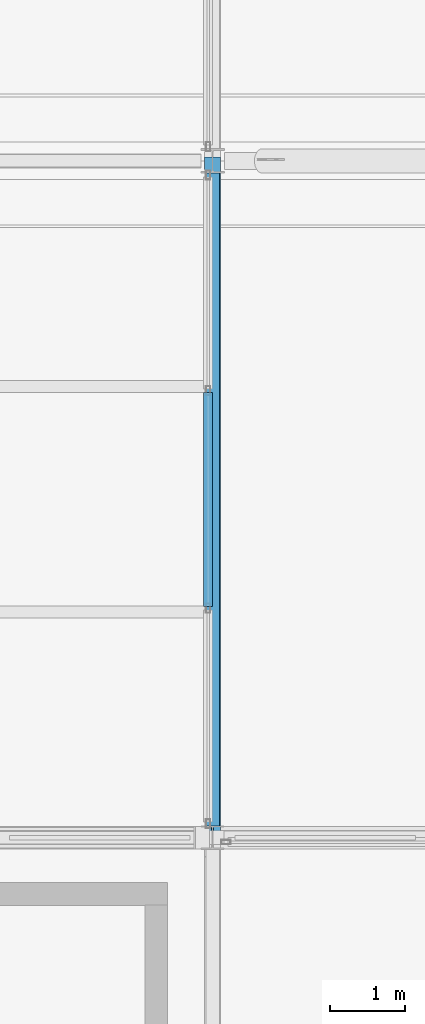
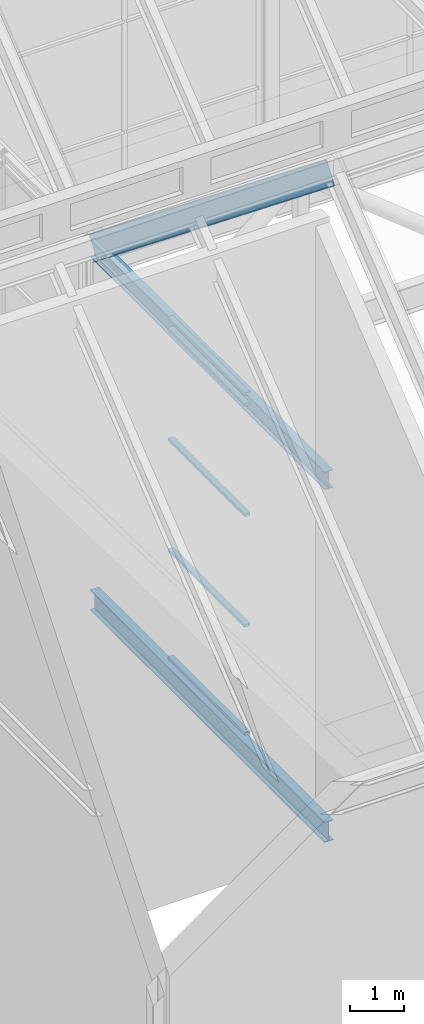
# One storey, part 22 of 144: 6 members, 2 beams, 1 element without a shape of its own.
"""IFC4 building model written with IfcOpenShell, lengths in metres."""

from ifc_helpers import new_model, si_unit, direction, frame, origin, origin_2d, place, context, subcontext, project, spatial, hollow_rectangle, i_section, extrude, material, layer, layer_set, material_profile, profile_set, type_object, element, aggregate, save


model = new_model("IFC4")

# Units and contexts
model_context = context("Model", 3, precision=1e-05, world=origin(), true_north=direction((0.0, 1.0)))
body_context = subcontext(model_context, "Body", "Model", "MODEL_VIEW")
ifc_project = project(units=[si_unit("LENGTHUNIT", "METRE"), si_unit("AREAUNIT", "SQUARE_METRE"), si_unit("VOLUMEUNIT", "CUBIC_METRE"), si_unit("PLANEANGLEUNIT", "RADIAN"), si_unit("MASSUNIT", "GRAM", prefix="KILO")], contexts=[model_context])

# Site, building, storey
site_placement = place(None, origin())
site = spatial("IfcSite", under=ifc_project, at=site_placement, CompositionType="ELEMENT")
building_placement = place(site_placement, origin())
building = spatial("IfcBuilding", under=site, at=building_placement, Name="Shorebreak Coast Museum", CompositionType="ELEMENT")
storey_placement = place(building_placement, frame((0.0, 0.0, 36.0)))
storey = spatial("IfcBuildingStorey", under=building, at=storey_placement, Name="L06", CompositionType="ELEMENT", Elevation=36.0)

# Beam
ifc_material_1 = material(Name="Steel Grade 300", Category="steel")
ifc_material_profile_1 = material_profile(ifc_material_1, i_section(OverallWidth=0.19091796875, OverallDepth=0.46044921875, WebThickness=0.010009765625, FlangeThickness=0.01611328125, FilletRadius=0.011474609375, at=origin_2d()), Name="460UB82.1")
ifc_profile_set_1 = profile_set([ifc_material_profile_1], Name="Steel Grade 300")
beam_type_1 = type_object("IfcBeamType", Name="Floor girder north-south 460UB82.1", PredefinedType="BEAM", material=ifc_profile_set_1)
beam_1_placement = place(storey_placement, frame((63.0, 63.1572265625, -0.4052734375), z_axis=(0.0, 1.0, 0.0), x_axis=(-1.0, 0.0, 0.0)))
element("IfcBeam", 1, at=beam_1_placement, inside=storey, type_object=beam_type_1, Name="Floor girder north-south L06 8H", PredefinedType="BEAM", context=body_context, shape_type="SweptSolid", body=[
    extrude(i_section(OverallWidth=0.19091796875, OverallDepth=0.46044921875, WebThickness=0.010009765625, FlangeThickness=0.01611328125, FilletRadius=0.011474609375, at=origin_2d()), origin(), (0.0, 0.0, 1.0), 8.67919921875),
])

# Member
ifc_material_2 = material(Name="Steel Grade 300", Category="steel")
ifc_material_profile_2 = material_profile(ifc_material_2, i_section(OverallWidth=0.208984375, OverallDepth=0.5283203125, WebThickness=0.009521484375, FlangeThickness=0.01318359375, FilletRadius=0.013916015625, at=origin_2d()), Name="530UB82.0")
ifc_profile_set_2 = profile_set([ifc_material_profile_2], Name="Steel Grade 300")
member_type_1 = type_object("IfcMemberType", Name="Fold rib rafter 530UB82.0", PredefinedType="RAFTER", material=ifc_profile_set_2)
member_1_placement = place(storey_placement, frame((63.0, 63.094970703125, 14.52978515625), z_axis=(0.0, 0.780866693621, -0.624697692322), x_axis=(-1.0, 0.0, 0.0)))
element("IfcMember", 2, at=member_1_placement, inside=storey, type_object=member_type_1, Name="Fold rib rafter FOLD-X line 2 04", PredefinedType="RAFTER", context=body_context, shape_type="SweptSolid", body=[
    extrude(i_section(OverallWidth=0.208984375, OverallDepth=0.5283203125, WebThickness=0.009521484375, FlangeThickness=0.01318359375, FilletRadius=0.013916015625, at=origin_2d()), origin(), (0.0, 0.0, 1.0), 11.25732421875),
])

# Beam
ifc_material_3 = material(Name="Steel Grade 300", Category="steel")
ifc_material_profile_3 = material_profile(ifc_material_3, i_section(OverallWidth=0.177978515625, OverallDepth=0.402587890625, WebThickness=0.007568359375, FlangeThickness=0.010986328125, FilletRadius=0.011474609375, at=origin_2d()), Name="410UB53.7")
ifc_profile_set_3 = profile_set([ifc_material_profile_3], Name="Steel Grade 300")
beam_type_2 = type_object("IfcBeamType", Name="Fold rib tie 410UB53.7", PredefinedType="BEAM", material=ifc_profile_set_3)
beam_2_placement = place(storey_placement, frame((63.0, 63.1572265625, 7.54248046875), z_axis=(0.0, 1.0, 0.0), x_axis=(-1.0, 0.0, 0.0)))
element("IfcBeam", 3, at=beam_2_placement, inside=storey, type_object=beam_type_2, Name="Fold rib tie FOLD-X rib 8 H-J", PredefinedType="BEAM", context=body_context, shape_type="SweptSolid", body=[
    extrude(i_section(OverallWidth=0.177978515625, OverallDepth=0.402587890625, WebThickness=0.007568359375, FlangeThickness=0.010986328125, FilletRadius=0.011474609375, at=origin_2d()), origin(), (0.0, 0.0, 1.0), 8.67919921875),
])

# Curtain wall, members
ifc_material_4 = material(Name="Aluminium", Category="aluminium")
ifc_layer = layer(ifc_material_4, 0.1201171875)
ifc_layer_set = layer_set([ifc_layer], Name="Aluminium")
curtain_wall_type = type_object("IfcCurtainWallType", Name="Atrium fire screen", PredefinedType="NOTDEFINED", material=ifc_layer_set)
curtain_wall_placement = place(storey_placement, origin())
curtain_wall = element("IfcCurtainWall", 4, at=curtain_wall_placement, inside=storey, type_object=curtain_wall_type, Name="Atrium screen L06 W 89", PredefinedType="NOTDEFINED")
ifc_material_5 = material(Name="Aluminium", Category="aluminium")
ifc_material_profile_4 = material_profile(ifc_material_5, hollow_rectangle(XDim=0.1201171875, YDim=0.06005859375, WallThickness=0.00341796875, at=origin_2d()), Name="AL 60x120 RHS")
ifc_profile_set_4 = profile_set([ifc_material_profile_4], Name="Aluminium")
member_type_2 = type_object("IfcMemberType", Name="Screen transom 120 x 50", PredefinedType="USERDEFINED", material=ifc_profile_set_4)
member_2_placement = place(storey_placement, frame((62.93994140625, 66.075439453125, 0.06005859375), z_axis=(0.0, 1.0, 0.0), x_axis=(-1.0, 0.0, 0.0)))
member_2 = element("IfcMember", 5, at=member_2_placement, type_object=member_type_2, Name="CW6 transom 2.1", ObjectType="TRANSOM", PredefinedType="USERDEFINED", context=body_context, shape_type="SweptSolid", body=[
    extrude(hollow_rectangle(XDim=0.1201171875, YDim=0.06005859375, WallThickness=0.00341796875, at=origin_2d()), origin(), (0.0, 0.0, 1.0), 2.843017578125),
])
member_3_placement = place(storey_placement, frame((62.93994140625, 66.075439453125, 2.5), z_axis=(0.0, 1.0, 0.0), x_axis=(-1.0, 0.0, 0.0)))
member_3 = element("IfcMember", 6, at=member_3_placement, type_object=member_type_2, Name="CW6 transom 2.2", ObjectType="TRANSOM", PredefinedType="USERDEFINED", context=body_context, shape_type="SweptSolid", body=[
    extrude(hollow_rectangle(XDim=0.1201171875, YDim=0.06005859375, WallThickness=0.00341796875, at=origin_2d()), origin(), (0.0, 0.0, 1.0), 2.843017578125),
])
member_4_placement = place(storey_placement, frame((62.93994140625, 66.075439453125, 5.0), z_axis=(0.0, 1.0, 0.0), x_axis=(-1.0, 0.0, 0.0)))
member_4 = element("IfcMember", 7, at=member_4_placement, type_object=member_type_2, Name="CW6 transom 2.3", ObjectType="TRANSOM", PredefinedType="USERDEFINED", context=body_context, shape_type="SweptSolid", body=[
    extrude(hollow_rectangle(XDim=0.1201171875, YDim=0.06005859375, WallThickness=0.00341796875, at=origin_2d()), origin(), (0.0, 0.0, 1.0), 2.843017578125),
])
member_5_placement = place(storey_placement, frame((62.93994140625, 66.075439453125, 7.5), z_axis=(0.0, 1.0, 0.0), x_axis=(-1.0, 0.0, 0.0)))
member_5 = element("IfcMember", 8, at=member_5_placement, type_object=member_type_2, Name="CW6 transom 2.4", ObjectType="TRANSOM", PredefinedType="USERDEFINED", context=body_context, shape_type="SweptSolid", body=[
    extrude(hollow_rectangle(XDim=0.1201171875, YDim=0.06005859375, WallThickness=0.00341796875, at=origin_2d()), origin(), (0.0, 0.0, 1.0), 2.843017578125),
])
member_6_placement = place(storey_placement, frame((62.93994140625, 66.075439453125, 7.739990234375), z_axis=(0.0, 1.0, 0.0), x_axis=(-1.0, 0.0, 0.0)))
member_6 = element("IfcMember", 9, at=member_6_placement, type_object=member_type_2, Name="CW6 transom 2.5", ObjectType="TRANSOM", PredefinedType="USERDEFINED", context=body_context, shape_type="SweptSolid", body=[
    extrude(hollow_rectangle(XDim=0.1201171875, YDim=0.06005859375, WallThickness=0.00341796875, at=origin_2d()), origin(), (0.0, 0.0, 1.0), 2.843017578125),
])
aggregate(curtain_wall, [member_2, member_3, member_4, member_5, member_6])

save(model, "model.ifc")
